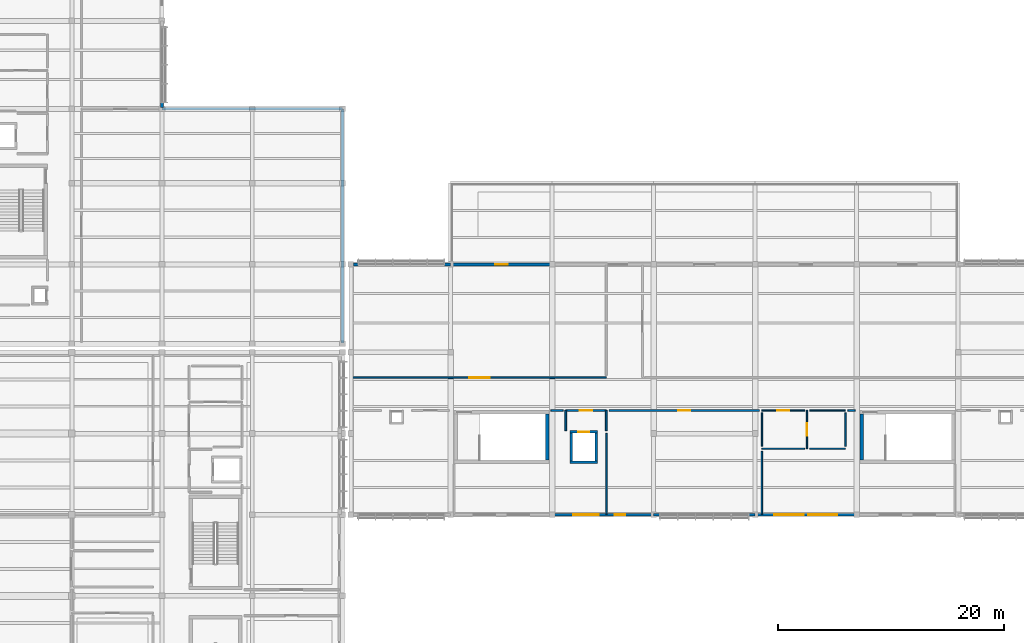
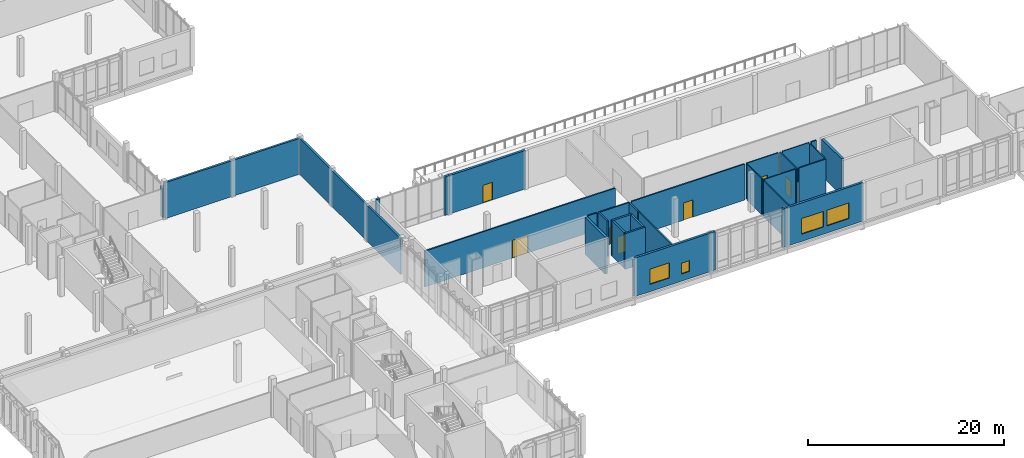
# One storey, part 149 of 177: 32 walls, 7 doors, 4 windows, 11 openings.
"""IFC4 building model written with IfcOpenShell, lengths in metres."""

from ifc_helpers import new_model, si_unit, direction, frame, frame_2d, origin, place, context, subcontext, project, spatial, rectangle, extrude, material, layer, layer_set, type_object, element, fill, save


model = new_model("IFC4")

# Units and contexts
model_context = context("Model", 3, precision=1e-05, world=origin(), true_north=direction((0.0, 1.0)))
body_context = subcontext(model_context, "Body", "Model", "MODEL_VIEW")
ifc_project = project(units=[si_unit("LENGTHUNIT", "METRE"), si_unit("AREAUNIT", "SQUARE_METRE"), si_unit("VOLUMEUNIT", "CUBIC_METRE"), si_unit("PLANEANGLEUNIT", "RADIAN"), si_unit("MASSUNIT", "GRAM", prefix="KILO")], contexts=[model_context])

# Site, building, storey
site_placement = place(None, origin())
site = spatial("IfcSite", under=ifc_project, at=site_placement, CompositionType="ELEMENT")
building_placement = place(site_placement, origin())
building = spatial("IfcBuilding", under=site, at=building_placement, Name="Chiffa Square Polytechnic", CompositionType="ELEMENT")
storey_placement = place(building_placement, frame((0.0, 0.0, 4.800048828125)))
storey = spatial("IfcBuildingStorey", under=building, at=storey_placement, Name="L01", CompositionType="ELEMENT", Elevation=4.800048828125)

# Walls
ifc_material_1 = material(Name="Concrete C40/50", Category="concrete")
ifc_layer_1 = layer(ifc_material_1, 0.300048828125, Name="Concrete C40/50")
ifc_layer_set_1 = layer_set([ifc_layer_1], Name="Concrete C40/50")
wall_type_1 = type_object("IfcWallType", Name="WL-CORE-300", PredefinedType="SHEAR", material=ifc_layer_set_1)
for number, where, z_axis, x_axis, name in (
    (1, (66.14990234375, 26.449951171875, 0.0), (0.0, 0.0, 1.0), (0.0, 1.0, 0.0), "Core or enclosure wall WC-CORE-V4A-L01-EAST"),
    (2, (94.050048828125, 26.449951171875, 0.0), (0.0, 0.0, 1.0), (0.0, 1.0, 0.0), "Core or enclosure wall WC-CORE-V4B-L01-WEST"),
):
    element("IfcWall", number, at=place(storey_placement, frame(where, z_axis=z_axis, x_axis=x_axis)), inside=storey, type_object=wall_type_1, Name=name, PredefinedType="SHEAR", context=body_context, shape_type="SweptSolid", body=[
        extrude(rectangle(XDim=4.10009765625, YDim=0.300048828125, at=frame_2d((2.050048828125, 0.0))), origin(), (0.0, 0.0, 1.0), 4.599853515625),
    ])

# Wall, openings, windows
ifc_material_2 = material(Name="Precast concrete C40/50", Category="concrete")
ifc_layer_2 = layer(ifc_material_2, 0.260009765625, Name="Precast concrete C40/50")
ifc_layer_set_2 = layer_set([ifc_layer_2], Name="Precast concrete C40/50")
wall_type_2 = type_object("IfcWallType", Name="WL-EXT-PC260", PredefinedType="SOLIDWALL", material=ifc_layer_set_2)
wall_1_placement = place(storey_placement, frame((66.60009765625, 21.60009765625, 0.0), z_axis=(0.0, 0.0, 1.0), x_axis=(1.0, 0.0, 0.0)))
wall_1 = element("IfcWall", 3, at=wall_1_placement, inside=storey, type_object=wall_type_2, Name="Exterior wall WE-V4-L01-0203", PredefinedType="SOLIDWALL", context=body_context, shape_type="SweptSolid", body=[
    extrude(rectangle(XDim=9.0, YDim=0.260009765625, at=frame_2d((4.5, 0.0))), origin(), (0.0, 0.0, 1.0), 4.800048828125),
])
opening_1_placement = place(wall_1_placement, frame((1.85009765625, 0.0, 0.89990234375)))
opening_1 = element("IfcOpeningElement", 4, at=opening_1_placement, cuts=wall_1, Name="Opening W-27", PredefinedType="OPENING", context=body_context, shape_type="SweptSolid", body=[
    extrude(rectangle(XDim=2.300048828125, YDim=1.89990234375, at=frame_2d((1.14990234375, 0.949951171875))), frame((0.0, 0.14013671875, 0.0), z_axis=(0.0, -1.0, 0.0), x_axis=(1.0, 0.0, 0.0)), (0.0, 0.0, 1.0), 0.280029296875),
])
opening_2_placement = place(wall_1_placement, frame((5.52490234375, 0.0, 0.89990234375)))
opening_2 = element("IfcOpeningElement", 5, at=opening_2_placement, cuts=wall_1, Name="Opening W-21", PredefinedType="OPENING", context=body_context, shape_type="SweptSolid", body=[
    extrude(rectangle(XDim=0.949951171875, YDim=1.35009765625, at=frame_2d((0.47509765625, 0.675048828125))), frame((0.0, 0.14013671875, 0.0), z_axis=(0.0, -1.0, 0.0), x_axis=(1.0, 0.0, 0.0)), (0.0, 0.0, 1.0), 0.280029296875),
])
ifc_material_3 = material(Name="Double glazing in thermally broken aluminium frame", Category="aluminium")
window_type_1 = type_object("IfcWindowType", Name="WIN-OFF-0950X1350", PartitioningType="DOUBLE_PANEL_VERTICAL", PredefinedType="WINDOW", material=ifc_material_3)
window_1_placement = place(opening_2_placement, origin())
window_1 = element("IfcWindow", 6, at=window_1_placement, inside=storey, type_object=window_type_1, Name="Facade window WN-L01-0143", OverallHeight=1.35009765625, OverallWidth=0.949951171875, PartitioningType="DOUBLE_PANEL_VERTICAL", PredefinedType="WINDOW", context=body_context, shape_type="SweptSolid", body=[
    extrude(rectangle(XDim=0.949951171875, YDim=1.35009765625, at=frame_2d((0.47509765625, 0.675048828125))), frame((0.0, 0.030029296875, 0.0), z_axis=(0.0, -1.0, 0.0), x_axis=(1.0, 0.0, 0.0)), (0.0, 0.0, 1.0), 0.06005859375),
])
fill(opening_2, window_1)
window_type_2 = type_object("IfcWindowType", Name="WIN-REF-2300X1900", PartitioningType="DOUBLE_PANEL_VERTICAL", PredefinedType="WINDOW", material=ifc_material_3)
window_2_placement = place(opening_1_placement, origin())
window_2 = element("IfcWindow", 7, at=window_2_placement, inside=storey, type_object=window_type_2, Name="Facade window WN-L01-0142", OverallHeight=1.89990234375, OverallWidth=2.300048828125, PartitioningType="DOUBLE_PANEL_VERTICAL", PredefinedType="WINDOW", context=body_context, shape_type="SweptSolid", body=[
    extrude(rectangle(XDim=2.300048828125, YDim=1.89990234375, at=frame_2d((1.14990234375, 0.949951171875))), frame((0.0, 0.030029296875, 0.0), z_axis=(0.0, -1.0, 0.0), x_axis=(1.0, 0.0, 0.0)), (0.0, 0.0, 1.0), 0.06005859375),
])
fill(opening_1, window_2)

# Walls
wall_2_placement = place(storey_placement, frame((75.60009765625, 21.60009765625, 0.0), z_axis=(0.0, 0.0, 1.0), x_axis=(1.0, 0.0, 0.0)))
element("IfcWall", 8, at=wall_2_placement, inside=storey, type_object=wall_type_2, Name="Facade column pier V4-L01-0204L", PredefinedType="SOLIDWALL", context=body_context, shape_type="SweptSolid", body=[
    extrude(rectangle(XDim=0.539794921875, YDim=0.260009765625, at=frame_2d((0.27001953125, 0.0))), origin(), (0.0, 0.0, 1.0), 4.800048828125),
])
wall_3_placement = place(storey_placement, frame((84.06005859375, 21.60009765625, 0.0), z_axis=(0.0, 0.0, 1.0), x_axis=(1.0, 0.0, 0.0)))
element("IfcWall", 9, at=wall_3_placement, inside=storey, type_object=wall_type_2, Name="Facade column pier V4-L01-0204R", PredefinedType="SOLIDWALL", context=body_context, shape_type="SweptSolid", body=[
    extrude(rectangle(XDim=0.5400390625, YDim=0.260009765625, at=frame_2d((0.27001953125, 0.0))), origin(), (0.0, 0.0, 1.0), 4.800048828125),
])

# Wall, openings, windows
wall_4_placement = place(storey_placement, frame((84.60009765625, 21.60009765625, 0.0), z_axis=(0.0, 0.0, 1.0), x_axis=(1.0, 0.0, 0.0)))
wall_4 = element("IfcWall", 10, at=wall_4_placement, inside=storey, type_object=wall_type_2, Name="Exterior wall WE-V4-L01-0205", PredefinedType="SOLIDWALL", context=body_context, shape_type="SweptSolid", body=[
    extrude(rectangle(XDim=9.0, YDim=0.260009765625, at=frame_2d((4.5, 0.0))), origin(), (0.0, 0.0, 1.0), 4.800048828125),
])
opening_3_placement = place(wall_4_placement, frame((1.699951171875, 0.0, 0.89990234375)))
opening_3 = element("IfcOpeningElement", 11, at=opening_3_placement, cuts=wall_4, Name="Opening W-26", PredefinedType="OPENING", context=body_context, shape_type="SweptSolid", body=[
    extrude(rectangle(XDim=2.60009765625, YDim=1.949951171875, at=frame_2d((1.300048828125, 0.97509765625))), frame((0.0, 0.14013671875, 0.0), z_axis=(0.0, -1.0, 0.0), x_axis=(1.0, 0.0, 0.0)), (0.0, 0.0, 1.0), 0.280029296875),
])
opening_4_placement = place(wall_4_placement, frame((4.699951171875, 0.0, 0.89990234375)))
opening_4 = element("IfcOpeningElement", 12, at=opening_4_placement, cuts=wall_4, Name="Opening W-26", PredefinedType="OPENING", context=body_context, shape_type="SweptSolid", body=[
    extrude(rectangle(XDim=2.60009765625, YDim=1.949951171875, at=frame_2d((1.300048828125, 0.97509765625))), frame((0.0, 0.14013671875, 0.0), z_axis=(0.0, -1.0, 0.0), x_axis=(1.0, 0.0, 0.0)), (0.0, 0.0, 1.0), 0.280029296875),
])
window_type_3 = type_object("IfcWindowType", Name="WIN-REF-2600X1950", PartitioningType="DOUBLE_PANEL_VERTICAL", PredefinedType="WINDOW", material=ifc_material_3)
window_3_placement = place(opening_3_placement, origin())
window_3 = element("IfcWindow", 13, at=window_3_placement, inside=storey, type_object=window_type_3, Name="Facade window WN-L01-0144", OverallHeight=1.949951171875, OverallWidth=2.60009765625, PartitioningType="DOUBLE_PANEL_VERTICAL", PredefinedType="WINDOW", context=body_context, shape_type="SweptSolid", body=[
    extrude(rectangle(XDim=2.60009765625, YDim=1.949951171875, at=frame_2d((1.300048828125, 0.97509765625))), frame((0.0, 0.030029296875, 0.0), z_axis=(0.0, -1.0, 0.0), x_axis=(1.0, 0.0, 0.0)), (0.0, 0.0, 1.0), 0.06005859375),
])
fill(opening_3, window_3)
window_4_placement = place(opening_4_placement, origin())
window_4 = element("IfcWindow", 14, at=window_4_placement, inside=storey, type_object=window_type_3, Name="Facade window WN-L01-0145", OverallHeight=1.949951171875, OverallWidth=2.60009765625, PartitioningType="DOUBLE_PANEL_VERTICAL", PredefinedType="WINDOW", context=body_context, shape_type="SweptSolid", body=[
    extrude(rectangle(XDim=2.60009765625, YDim=1.949951171875, at=frame_2d((1.300048828125, 0.97509765625))), frame((0.0, 0.030029296875, 0.0), z_axis=(0.0, -1.0, 0.0), x_axis=(1.0, 0.0, 0.0)), (0.0, 0.0, 1.0), 0.06005859375),
])
fill(opening_4, window_4)

# Wall, opening, door
wall_5_placement = place(storey_placement, frame((66.60009765625, 43.800048828125, 0.0), z_axis=(0.0, 0.0, 1.0), x_axis=(-1.0, 0.0, 0.0)))
wall_5 = element("IfcWall", 15, at=wall_5_placement, inside=storey, type_object=wall_type_2, Name="Exterior wall WE-V4-L01-0214", PredefinedType="SOLIDWALL", context=body_context, shape_type="SweptSolid", body=[
    extrude(rectangle(XDim=9.0, YDim=0.260009765625, at=frame_2d((4.5, 0.0))), origin(), (0.0, 0.0, 1.0), 4.800048828125),
])
opening_5_placement = place(wall_5_placement, frame((3.949951171875, 0.0, 0.0)))
opening_5 = element("IfcOpeningElement", 16, at=opening_5_placement, cuts=wall_5, Name="Opening DT-L01-041", PredefinedType="OPENING", context=body_context, shape_type="SweptSolid", body=[
    extrude(rectangle(XDim=1.10009765625, YDim=2.199951171875, at=frame_2d((0.550048828125, 1.10009765625))), frame((0.0, 0.14013671875, 0.0), z_axis=(0.0, -1.0, 0.0), x_axis=(1.0, 0.0, 0.0)), (0.0, 0.0, 1.0), 0.280029296875),
])
ifc_material_4 = material(Name="Thermally broken aluminium glazed door", Category="aluminium")
door_type_1 = type_object("IfcDoorType", Name="DR-TERR-SGL-1100", OperationType="NOTDEFINED", PredefinedType="DOOR", material=ifc_material_4)
door_1_placement = place(opening_5_placement, origin())
door_1 = element("IfcDoor", 17, at=door_1_placement, inside=storey, type_object=door_type_1, Name="Exterior door DT-L01-041", OperationType="SINGLE_SWING_RIGHT", OverallHeight=2.199951171875, OverallWidth=1.10009765625, PredefinedType="DOOR", context=body_context, shape_type="SweptSolid", body=[
    extrude(rectangle(XDim=1.10009765625, YDim=2.199951171875, at=frame_2d((0.550048828125, 1.10009765625))), frame((0.0, 0.02490234375, 0.0), z_axis=(0.0, -1.0, 0.0), x_axis=(1.0, 0.0, 0.0)), (0.0, 0.0, 1.0), 0.050048828125),
])
fill(opening_5, door_1)

# Walls
wall_6_placement = place(storey_placement, frame((57.60009765625, 43.800048828125, 0.0), z_axis=(0.0, 0.0, 1.0), x_axis=(-1.0, 0.0, 0.0)))
element("IfcWall", 18, at=wall_6_placement, inside=storey, type_object=wall_type_2, Name="Facade column pier V4-L01-0215L", PredefinedType="SOLIDWALL", context=body_context, shape_type="SweptSolid", body=[
    extrude(rectangle(XDim=0.5400390625, YDim=0.260009765625, at=frame_2d((0.27001953125, 0.0))), origin(), (0.0, 0.0, 1.0), 4.800048828125),
])
wall_7_placement = place(storey_placement, frame((49.389892578125, 43.800048828125, 0.0), z_axis=(0.0, 0.0, 1.0), x_axis=(-1.0, 0.0, 0.0)))
element("IfcWall", 19, at=wall_7_placement, inside=storey, type_object=wall_type_2, Name="Facade column pier V4-L01-0215R", PredefinedType="SOLIDWALL", context=body_context, shape_type="SweptSolid", body=[
    extrude(rectangle(XDim=0.412841796875, YDim=0.260009765625, at=frame_2d((0.20654296875, 0.0))), origin(), (0.0, 0.0, 1.0), 4.800048828125),
])
wall_8_placement = place(storey_placement, frame((32.0, 57.72705078125, 0.0), z_axis=(0.0, 0.0, 1.0), x_axis=(0.0, 1.0, 0.0)))
element("IfcWall", 20, at=wall_8_placement, inside=storey, type_object=wall_type_2, Name="Facade column pier V6-L01-0412L", PredefinedType="SOLIDWALL", context=body_context, shape_type="SweptSolid", body=[
    extrude(rectangle(XDim=0.412841796875, YDim=0.260009765625, at=frame_2d((0.20654296875, 0.0))), origin(), (0.0, 0.0, 1.0), 3.764892578125),
])
ifc_material_5 = material(Name="Gypsum board on steel stud", Category="steel")
ifc_layer_3 = layer(ifc_material_5, 0.125, Name="Gypsum board on steel stud")
ifc_layer_set_3 = layer_set([ifc_layer_3], Name="Gypsum board on steel stud")
wall_type_3 = type_object("IfcWallType", Name="WL-PART-125", PredefinedType="PARTITIONING", material=ifc_layer_set_3)
wall_9_placement = place(storey_placement, frame((85.199951171875, 21.655029296875, 0.0), z_axis=(0.0, 0.0, 1.0), x_axis=(0.0, 1.0, 0.0)))
element("IfcWall", 21, at=wall_9_placement, inside=storey, type_object=wall_type_3, Name="Interior partition WP-V4-L01-0290", PredefinedType="PARTITIONING", context=body_context, shape_type="SweptSolid", body=[
    extrude(rectangle(XDim=5.574951171875, YDim=0.125, at=frame_2d((2.78759765625, 0.0))), origin(), (0.0, 0.0, 1.0), 4.47998046875),
])
ifc_layer_4 = layer(ifc_material_5, 0.14501953125, Name="Gypsum board on steel stud")
ifc_layer_set_4 = layer_set([ifc_layer_4], Name="Gypsum board on steel stud")
wall_type_4 = type_object("IfcWallType", Name="WL-PART-145", PredefinedType="PARTITIONING", material=ifc_layer_set_4)
wall_10_placement = place(storey_placement, frame((71.39990234375, 21.655029296875, 0.0), z_axis=(0.0, 0.0, 1.0), x_axis=(0.0, 1.0, 0.0)))
element("IfcWall", 22, at=wall_10_placement, inside=storey, type_object=wall_type_4, Name="Interior partition WP-V4-L01-0291", PredefinedType="PARTITIONING", context=body_context, shape_type="SweptSolid", body=[
    extrude(rectangle(XDim=7.155029296875, YDim=0.14501953125, at=frame_2d((3.57763671875, 0.0))), origin(), (0.0, 0.0, 1.0), 4.47998046875),
])

# Wall, opening, door
ifc_material_6 = material(Name="Gypsum board on acoustic steel stud", Category="steel")
ifc_layer_5 = layer(ifc_material_6, 0.159912109375, Name="Gypsum board on acoustic steel stud")
ifc_layer_set_5 = layer_set([ifc_layer_5], Name="Gypsum board on acoustic steel stud")
wall_type_5 = type_object("IfcWallType", Name="WL-PART-EI60-160", PredefinedType="PARTITIONING", material=ifc_layer_set_5)
wall_11_placement = place(storey_placement, frame((67.800048828125, 30.85009765625, 0.0), z_axis=(0.0, 0.0, 1.0), x_axis=(1.0, 0.0, 0.0)))
wall_11 = element("IfcWall", 23, at=wall_11_placement, inside=storey, type_object=wall_type_5, Name="Lift lobby rated enclosure WP-LOB-LP-V4-L01-NORTH", PredefinedType="PARTITIONING", context=body_context, shape_type="SweptSolid", body=[
    extrude(rectangle(XDim=3.599853515625, YDim=0.159912109375, at=frame_2d((1.7998046875, 0.0))), origin(), (0.0, 0.0, 1.0), 4.449951171875),
])
opening_6_placement = place(wall_11_placement, frame((1.25, 0.0, 0.0)))
opening_6 = element("IfcOpeningElement", 24, at=opening_6_placement, cuts=wall_11, Name="Opening DI-L01-031", PredefinedType="OPENING", context=body_context, shape_type="SweptSolid", body=[
    extrude(rectangle(XDim=1.10009765625, YDim=2.14990234375, at=frame_2d((0.550048828125, 1.074951171875))), frame((0.0, 0.08984375, 0.0), z_axis=(0.0, -1.0, 0.0), x_axis=(1.0, 0.0, 0.0)), (0.0, 0.0, 1.0), 0.179931640625),
])
ifc_material_7 = material(Name="Solid core ash veneer door")
door_type_2 = type_object("IfcDoorType", Name="DR-INT-1100", OperationType="NOTDEFINED", PredefinedType="DOOR", material=ifc_material_7)
door_2_placement = place(opening_6_placement, origin())
door_2 = element("IfcDoor", 25, at=door_2_placement, inside=storey, type_object=door_type_2, Name="Lift lobby fire door DI-L01-031", OperationType="SINGLE_SWING_RIGHT", OverallHeight=2.14990234375, OverallWidth=1.10009765625, PredefinedType="DOOR", context=body_context, shape_type="SweptSolid", body=[
    extrude(rectangle(XDim=1.10009765625, YDim=2.14990234375, at=frame_2d((0.550048828125, 1.074951171875))), frame((0.0, 0.02490234375, 0.0), z_axis=(0.0, -1.0, 0.0), x_axis=(1.0, 0.0, 0.0)), (0.0, 0.0, 1.0), 0.050048828125),
])
fill(opening_6, door_2)

# Walls
for number, where, z_axis, x_axis, name in (
    (26, (67.800048828125, 29.050048828125, 0.0), (0.0, 0.0, 1.0), (0.0, 1.0, 0.0), "Lift lobby rated enclosure WP-LOB-LP-V4-L01-WEST"),
    (27, (71.39990234375, 29.050048828125, 0.0), (0.0, 0.0, 1.0), (0.0, 1.0, 0.0), "Lift lobby rated enclosure WP-LOB-LP-V4-L01-EAST"),
):
    element("IfcWall", number, at=place(storey_placement, frame(where, z_axis=z_axis, x_axis=x_axis)), inside=storey, type_object=wall_type_5, Name=name, PredefinedType="PARTITIONING", context=body_context, shape_type="SweptSolid", body=[
        extrude(rectangle(XDim=1.800048828125, YDim=0.159912109375, at=frame_2d((0.89990234375, 0.0))), origin(), (0.0, 0.0, 1.0), 4.449951171875),
    ])

# Wall, opening, door
wall_12_placement = place(storey_placement, frame((71.639892578125, 30.85009765625, 0.0), z_axis=(0.0, 0.0, 1.0), x_axis=(1.0, 0.0, 0.0)))
wall_12 = element("IfcWall", 28, at=wall_12_placement, inside=storey, type_object=wall_type_5, Name="Interior partition WP-V4-L01-0289", PredefinedType="PARTITIONING", context=body_context, shape_type="SweptSolid", body=[
    extrude(rectangle(XDim=13.340087890625, YDim=0.159912109375, at=frame_2d((6.669921875, 0.0))), origin(), (0.0, 0.0, 1.0), 4.47998046875),
])
opening_7_placement = place(wall_12_placement, frame((6.1201171875, 0.0, 0.0)))
opening_7 = element("IfcOpeningElement", 29, at=opening_7_placement, cuts=wall_12, Name="Opening DI-L01-134", PredefinedType="OPENING", context=body_context, shape_type="SweptSolid", body=[
    extrude(rectangle(XDim=1.10009765625, YDim=2.14990234375, at=frame_2d((0.550048828125, 1.074951171875))), frame((0.0, 0.08984375, 0.0), z_axis=(0.0, -1.0, 0.0), x_axis=(1.0, 0.0, 0.0)), (0.0, 0.0, 1.0), 0.179931640625),
])
door_3_placement = place(opening_7_placement, origin())
door_3 = element("IfcDoor", 30, at=door_3_placement, inside=storey, type_object=door_type_2, Name="Interior room door DI-L01-134", OperationType="SINGLE_SWING_LEFT", OverallHeight=2.14990234375, OverallWidth=1.10009765625, PredefinedType="DOOR", context=body_context, shape_type="SweptSolid", body=[
    extrude(rectangle(XDim=1.10009765625, YDim=2.14990234375, at=frame_2d((0.550048828125, 1.074951171875))), frame((0.0, 0.02490234375, 0.0), z_axis=(0.0, -1.0, 0.0), x_axis=(1.0, 0.0, 0.0)), (0.0, 0.0, 1.0), 0.050048828125),
])
fill(opening_7, door_3)

wall_13_placement = place(storey_placement, frame((48.905029296875, 33.75, 0.0), z_axis=(0.0, 0.0, 1.0), x_axis=(1.0, 0.0, 0.0)))
wall_13 = element("IfcWall", 31, at=wall_13_placement, inside=storey, type_object=wall_type_5, Name="Interior partition WP-V4-L01-0311", PredefinedType="PARTITIONING", context=body_context, shape_type="SweptSolid", body=[
    extrude(rectangle(XDim=22.494873046875, YDim=0.159912109375, at=frame_2d((11.24755859375, 0.0))), origin(), (0.0, 0.0, 1.0), 4.47998046875),
])
opening_8_placement = place(wall_13_placement, frame((10.347900390625, 0.0, 0.0)))
opening_8 = element("IfcOpeningElement", 32, at=opening_8_placement, cuts=wall_13, Name="Opening DI-L01-141", PredefinedType="OPENING", context=body_context, shape_type="SweptSolid", body=[
    extrude(rectangle(XDim=1.800048828125, YDim=2.199951171875, at=frame_2d((0.89990234375, 1.10009765625))), frame((0.0, 0.08984375, 0.0), z_axis=(0.0, -1.0, 0.0), x_axis=(1.0, 0.0, 0.0)), (0.0, 0.0, 1.0), 0.179931640625),
])
ifc_material_8 = material(Name="Solid oak fire door pair")
door_type_3 = type_object("IfcDoorType", Name="DR-CORR-DBL-1800", OperationType="DOUBLE_DOOR_SINGLE_SWING", PredefinedType="DOOR", material=ifc_material_8)
door_4_placement = place(opening_8_placement, origin())
door_4 = element("IfcDoor", 33, at=door_4_placement, inside=storey, type_object=door_type_3, Name="Interior room door DI-L01-141", OperationType="DOUBLE_DOOR_SINGLE_SWING", OverallHeight=2.199951171875, OverallWidth=1.800048828125, PredefinedType="DOOR", context=body_context, shape_type="SweptSolid", body=[
    extrude(rectangle(XDim=1.800048828125, YDim=2.199951171875, at=frame_2d((0.89990234375, 1.10009765625))), frame((0.0, 0.02490234375, 0.0), z_axis=(0.0, -1.0, 0.0), x_axis=(1.0, 0.0, 0.0)), (0.0, 0.0, 1.0), 0.050048828125),
])
fill(opening_8, door_4)

# Walls
wall_14_placement = place(storey_placement, frame((92.820068359375, 30.85009765625, 0.0), z_axis=(0.0, 0.0, 1.0), x_axis=(1.0, 0.0, 0.0)))
element("IfcWall", 34, at=wall_14_placement, inside=storey, type_object=wall_type_5, Name="Interior partition WP-V4-L01-0373", PredefinedType="PARTITIONING", context=body_context, shape_type="SweptSolid", body=[
    extrude(rectangle(XDim=0.638916015625, YDim=0.159912109375, at=frame_2d((0.3193359375, 0.0))), origin(), (0.0, 0.0, 1.0), 4.47998046875),
])
wall_15_placement = place(storey_placement, frame((66.487060546875, 30.85009765625, 0.0), z_axis=(0.0, 0.0, 1.0), x_axis=(1.0, 0.0, 0.0)))
element("IfcWall", 35, at=wall_15_placement, inside=storey, type_object=wall_type_5, Name="Interior partition WP-V4-L01-0374", PredefinedType="PARTITIONING", context=body_context, shape_type="SweptSolid", body=[
    extrude(rectangle(XDim=1.072998046875, YDim=0.159912109375, at=frame_2d((0.53662109375, 0.0))), origin(), (0.0, 0.0, 1.0), 4.47998046875),
])

# Wall, opening, door
ifc_material_9 = material(Name="Moisture-resistant board partition")
ifc_layer_6 = layer(ifc_material_9, 0.1201171875, Name="Moisture-resistant board partition")
ifc_layer_set_6 = layer_set([ifc_layer_6], Name="Moisture-resistant board partition")
wall_type_6 = type_object("IfcWallType", Name="WL-PART-WC-120", PredefinedType="PARTITIONING", material=ifc_layer_set_6)
wall_16_placement = place(storey_placement, frame((89.199951171875, 27.449951171875, 0.0), z_axis=(0.0, 0.0, 1.0), x_axis=(0.0, 1.0, 0.0)))
wall_16 = element("IfcWall", 36, at=wall_16_placement, inside=storey, type_object=wall_type_6, Name="Interior partition WP-V4-L01-0231", PredefinedType="PARTITIONING", context=body_context, shape_type="SweptSolid", body=[
    extrude(rectangle(XDim=3.400146484375, YDim=0.1201171875, at=frame_2d((1.7001953125, 0.0))), origin(), (0.0, 0.0, 1.0), 4.47998046875),
])
opening_9_placement = place(wall_16_placement, frame((1.14990234375, 0.0, 0.0)))
opening_9 = element("IfcOpeningElement", 37, at=opening_9_placement, cuts=wall_16, Name="Opening DI-L01-111", PredefinedType="OPENING", context=body_context, shape_type="SweptSolid", body=[
    extrude(rectangle(XDim=1.10009765625, YDim=2.14990234375, at=frame_2d((0.550048828125, 1.074951171875))), frame((0.0, 0.070068359375, 0.0), z_axis=(0.0, -1.0, 0.0), x_axis=(1.0, 0.0, 0.0)), (0.0, 0.0, 1.0), 0.14013671875),
])
door_5_placement = place(opening_9_placement, origin())
door_5 = element("IfcDoor", 38, at=door_5_placement, inside=storey, type_object=door_type_2, Name="Interior room door DI-L01-111", OperationType="SINGLE_SWING_RIGHT", OverallHeight=2.14990234375, OverallWidth=1.10009765625, PredefinedType="DOOR", context=body_context, shape_type="SweptSolid", body=[
    extrude(rectangle(XDim=1.10009765625, YDim=2.14990234375, at=frame_2d((0.550048828125, 1.074951171875))), frame((0.0, 0.02490234375, 0.0), z_axis=(0.0, -1.0, 0.0), x_axis=(1.0, 0.0, 0.0)), (0.0, 0.0, 1.0), 0.050048828125),
])
fill(opening_9, door_5)

# Walls
for number, where, z_axis, x_axis, name in (
    (39, (89.419921875, 27.449951171875, 0.0), (0.0, 0.0, 1.0), (1.0, 0.0, 0.0), "Interior partition WP-V4-L01-0232"),
    (40, (89.419921875, 30.85009765625, 0.0), (0.0, 0.0, 1.0), (1.0, 0.0, 0.0), "Interior partition WP-V4-L01-0233"),
):
    element("IfcWall", number, at=place(storey_placement, frame(where, z_axis=z_axis, x_axis=x_axis)), inside=storey, type_object=wall_type_6, Name=name, PredefinedType="PARTITIONING", context=body_context, shape_type="SweptSolid", body=[
        extrude(rectangle(XDim=3.18017578125, YDim=0.1201171875, at=frame_2d((1.590087890625, 0.0))), origin(), (0.0, 0.0, 1.0), 4.47998046875),
    ])
wall_17_placement = place(storey_placement, frame((92.60009765625, 27.669921875, 0.0), z_axis=(0.0, 0.0, 1.0), x_axis=(0.0, 1.0, 0.0)))
element("IfcWall", 41, at=wall_17_placement, inside=storey, type_object=wall_type_6, Name="Interior partition WP-V4-L01-0234", PredefinedType="PARTITIONING", context=body_context, shape_type="SweptSolid", body=[
    extrude(rectangle(XDim=2.9599609375, YDim=0.1201171875, at=frame_2d((1.47998046875, 0.0))), origin(), (0.0, 0.0, 1.0), 4.47998046875),
])

# Wall, opening, door
wall_18_placement = place(storey_placement, frame((85.199951171875, 30.85009765625, 0.0), z_axis=(0.0, 0.0, 1.0), x_axis=(1.0, 0.0, 0.0)))
wall_18 = element("IfcWall", 42, at=wall_18_placement, inside=storey, type_object=wall_type_6, Name="Interior partition WP-V4-L01-0238", PredefinedType="PARTITIONING", context=body_context, shape_type="SweptSolid", body=[
    extrude(rectangle(XDim=3.780029296875, YDim=0.1201171875, at=frame_2d((1.89013671875, 0.0))), origin(), (0.0, 0.0, 1.0), 4.47998046875),
])
opening_10_placement = place(wall_18_placement, frame((1.340087890625, 0.0, 0.0)))
opening_10 = element("IfcOpeningElement", 43, at=opening_10_placement, cuts=wall_18, Name="Opening DI-L01-113", PredefinedType="OPENING", context=body_context, shape_type="SweptSolid", body=[
    extrude(rectangle(XDim=1.10009765625, YDim=2.14990234375, at=frame_2d((0.550048828125, 1.074951171875))), frame((0.0, 0.070068359375, 0.0), z_axis=(0.0, -1.0, 0.0), x_axis=(1.0, 0.0, 0.0)), (0.0, 0.0, 1.0), 0.14013671875),
])
door_6_placement = place(opening_10_placement, origin())
door_6 = element("IfcDoor", 44, at=door_6_placement, inside=storey, type_object=door_type_2, Name="Interior room door DI-L01-113", OperationType="SINGLE_SWING_RIGHT", OverallHeight=2.14990234375, OverallWidth=1.10009765625, PredefinedType="DOOR", context=body_context, shape_type="SweptSolid", body=[
    extrude(rectangle(XDim=1.10009765625, YDim=2.14990234375, at=frame_2d((0.550048828125, 1.074951171875))), frame((0.0, 0.02490234375, 0.0), z_axis=(0.0, -1.0, 0.0), x_axis=(1.0, 0.0, 0.0)), (0.0, 0.0, 1.0), 0.050048828125),
])
fill(opening_10, door_6)

# Walls
wall_19_placement = place(storey_placement, frame((85.199951171875, 27.449951171875, 0.0), z_axis=(0.0, 0.0, 1.0), x_axis=(1.0, 0.0, 0.0)))
element("IfcWall", 45, at=wall_19_placement, inside=storey, type_object=wall_type_6, Name="Interior partition WP-V4-L01-0239", PredefinedType="PARTITIONING", context=body_context, shape_type="SweptSolid", body=[
    extrude(rectangle(XDim=3.780029296875, YDim=0.1201171875, at=frame_2d((1.89013671875, 0.0))), origin(), (0.0, 0.0, 1.0), 4.47998046875),
])
wall_20_placement = place(storey_placement, frame((85.199951171875, 27.669921875, 0.0), z_axis=(0.0, 0.0, 1.0), x_axis=(0.0, 1.0, 0.0)))
element("IfcWall", 46, at=wall_20_placement, inside=storey, type_object=wall_type_6, Name="Interior partition WP-V4-L01-0240", PredefinedType="PARTITIONING", context=body_context, shape_type="SweptSolid", body=[
    extrude(rectangle(XDim=2.9599609375, YDim=0.1201171875, at=frame_2d((1.47998046875, 0.0))), origin(), (0.0, 0.0, 1.0), 4.47998046875),
])
ifc_material_10 = material(Name="Concrete C35/45", Category="concrete")
ifc_layer_7 = layer(ifc_material_10, 0.219970703125, Name="Concrete C35/45")
ifc_layer_set_7 = layer_set([ifc_layer_7], Name="Concrete C35/45")
wall_type_7 = type_object("IfcWallType", Name="WL-SHAFT-220", PredefinedType="SHEAR", material=ifc_layer_set_7)
wall_21_placement = place(storey_placement, frame((68.199951171875, 26.260009765625, 0.0), z_axis=(0.0, 0.0, 1.0), x_axis=(1.0, 0.0, 0.0)))
element("IfcWall", 47, at=wall_21_placement, inside=storey, type_object=wall_type_7, Name="Core or enclosure wall WS-LP-V4-L01-SOUTH", PredefinedType="SHEAR", context=body_context, shape_type="SweptSolid", body=[
    extrude(rectangle(XDim=2.400146484375, YDim=0.219970703125, at=frame_2d((1.2001953125, 0.0))), origin(), (0.0, 0.0, 1.0), 4.449951171875),
])

# Wall, opening, door
wall_22_placement = place(storey_placement, frame((68.199951171875, 28.93994140625, 0.0), z_axis=(0.0, 0.0, 1.0), x_axis=(1.0, 0.0, 0.0)))
wall_22 = element("IfcWall", 48, at=wall_22_placement, inside=storey, type_object=wall_type_7, Name="Core or enclosure wall WS-LP-V4-L01-NORTH", PredefinedType="SHEAR", context=body_context, shape_type="SweptSolid", body=[
    extrude(rectangle(XDim=2.400146484375, YDim=0.219970703125, at=frame_2d((1.2001953125, 0.0))), origin(), (0.0, 0.0, 1.0), 4.449951171875),
])
opening_11_placement = place(wall_22_placement, frame((0.699951171875, 0.0, 0.0)))
opening_11 = element("IfcOpeningElement", 49, at=opening_11_placement, cuts=wall_22, Name="Opening LD-LP-V4-L01", PredefinedType="OPENING", context=body_context, shape_type="SweptSolid", body=[
    extrude(rectangle(XDim=1.0, YDim=2.14990234375, at=frame_2d((0.5, 1.074951171875))), frame((0.0, 0.1201171875, 0.0), z_axis=(0.0, -1.0, 0.0), x_axis=(1.0, 0.0, 0.0)), (0.0, 0.0, 1.0), 0.239990234375),
])
ifc_material_11 = material(Name="Brushed stainless steel sliding landing door", Category="steel")
door_type_4 = type_object("IfcDoorType", Name="DR-LIFT-1000", OperationType="SLIDING_TO_RIGHT", PredefinedType="DOOR", material=ifc_material_11)
door_7_placement = place(opening_11_placement, origin())
door_7 = element("IfcDoor", 50, at=door_7_placement, inside=storey, type_object=door_type_4, Name="Enclosure door LD-LP-V4-L01", OperationType="SLIDING_TO_RIGHT", OverallHeight=2.14990234375, OverallWidth=1.0, PredefinedType="DOOR", context=body_context, shape_type="SweptSolid", body=[
    extrude(rectangle(XDim=1.0, YDim=2.14990234375, at=frame_2d((0.5, 1.074951171875))), frame((0.0, 0.02490234375, 0.0), z_axis=(0.0, -1.0, 0.0), x_axis=(1.0, 0.0, 0.0)), (0.0, 0.0, 1.0), 0.050048828125),
])
fill(opening_11, door_7)

# Walls
for number, where, z_axis, x_axis, name in (
    (51, (68.31005859375, 26.3701171875, 0.0), (0.0, 0.0, 1.0), (0.0, 1.0, 0.0), "Core or enclosure wall WS-LP-V4-L01-WEST"),
    (52, (70.489990234375, 26.3701171875, 0.0), (0.0, 0.0, 1.0), (0.0, 1.0, 0.0), "Core or enclosure wall WS-LP-V4-L01-EAST"),
):
    element("IfcWall", number, at=place(storey_placement, frame(where, z_axis=z_axis, x_axis=x_axis)), inside=storey, type_object=wall_type_7, Name=name, PredefinedType="SHEAR", context=body_context, shape_type="SweptSolid", body=[
        extrude(rectangle(XDim=2.4599609375, YDim=0.219970703125, at=frame_2d((1.22998046875, 0.0))), origin(), (0.0, 0.0, 1.0), 4.449951171875),
    ])
ifc_layer_8 = layer(ifc_material_10, 0.25, Name="Concrete C35/45")
ifc_layer_set_8 = layer_set([ifc_layer_8], Name="Concrete C35/45")
wall_type_8 = type_object("IfcWallType", Name="WL-SJ-250", PredefinedType="SHEAR", material=ifc_layer_set_8)
wall_23_placement = place(storey_placement, frame((48.0, 36.85009765625, 0.0), z_axis=(0.0, 0.0, 1.0), x_axis=(0.0, 1.0, 0.0)))
element("IfcWall", 53, at=wall_23_placement, inside=storey, type_object=wall_type_8, Name="Seismic-joint fire wall WE-V6-L01-0410", PredefinedType="SHEAR", context=body_context, shape_type="SweptSolid", body=[
    extrude(rectangle(XDim=20.75, YDim=0.25, at=frame_2d((10.375, 0.0))), origin(), (0.0, 0.0, 1.0), 4.47998046875),
])
wall_24_placement = place(storey_placement, frame((48.0, 57.60009765625, 0.0), z_axis=(0.0, 0.0, 1.0), x_axis=(-1.0, 0.0, 0.0)))
element("IfcWall", 54, at=wall_24_placement, inside=storey, type_object=wall_type_8, Name="Seismic-joint fire wall WE-V6-L01-0411", PredefinedType="SHEAR", context=body_context, shape_type="SweptSolid", body=[
    extrude(rectangle(XDim=16.0, YDim=0.25, at=frame_2d((8.0, 0.0))), origin(), (0.0, 0.0, 1.0), 4.47998046875),
])

save(model, "model.ifc")
